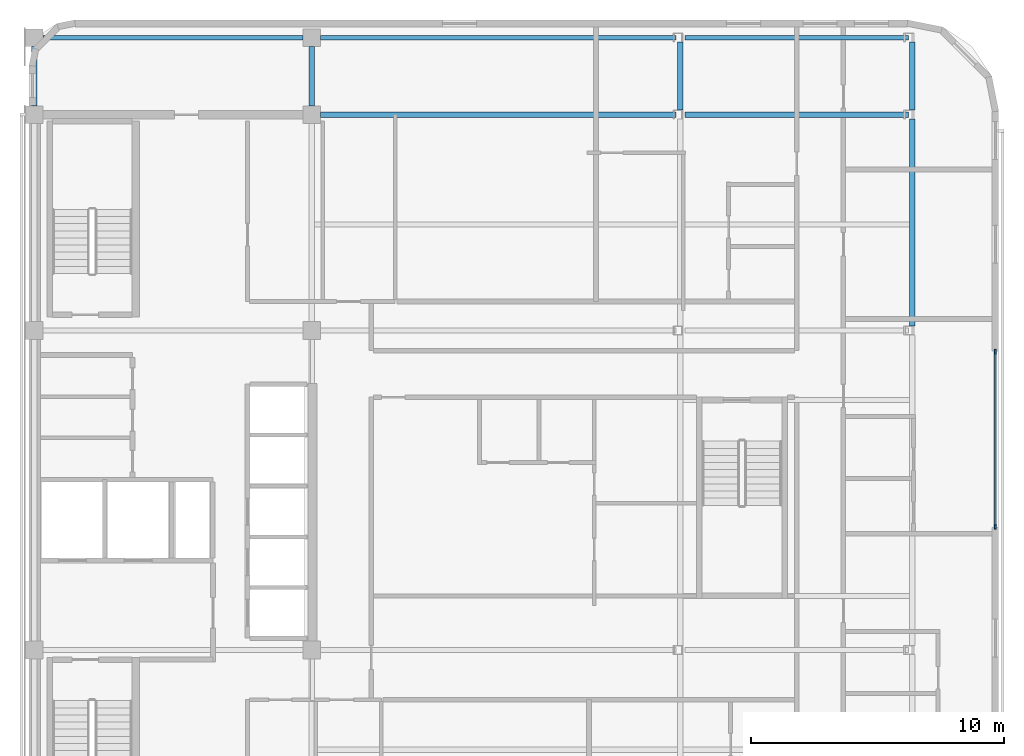
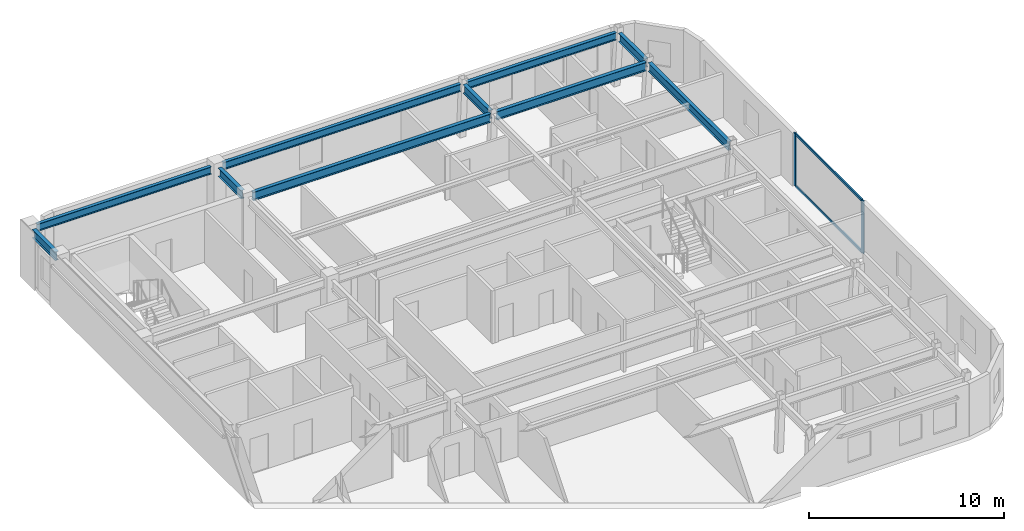
# One storey, part 2 of 11: 10 beams, 4 members, 1 element without a shape of its own.
"""IFC4 building model written with IfcOpenShell, lengths in metres."""

from ifc_helpers import new_model, si_unit, direction, frame, origin, origin_2d, place, context, subcontext, project, spatial, rectangle, i_section, extrude, material, layer, layer_set, material_profile, profile_set, type_object, element, aggregate, save


model = new_model("IFC4")

# Units and contexts
model_context = context("Model", 3, precision=1e-05, world=origin(), true_north=direction((0.0, 1.0)))
body_context = subcontext(model_context, "Body", "Model", "MODEL_VIEW")
ifc_project = project(units=[si_unit("LENGTHUNIT", "METRE"), si_unit("AREAUNIT", "SQUARE_METRE"), si_unit("VOLUMEUNIT", "CUBIC_METRE"), si_unit("PLANEANGLEUNIT", "RADIAN"), si_unit("MASSUNIT", "GRAM", prefix="KILO")], contexts=[model_context])

# Site, building, storey
site_placement = place(None, origin())
site = spatial("IfcSite", under=ifc_project, at=site_placement, CompositionType="ELEMENT")
building_placement = place(site_placement, origin())
building = spatial("IfcBuilding", under=site, at=building_placement, Name="Ochreholt Gables", CompositionType="ELEMENT")
storey_placement = place(building_placement, frame((0.0, 0.0, 278.39990234375)))
storey = spatial("IfcBuildingStorey", under=building, at=storey_placement, Name="L73", CompositionType="ELEMENT", Elevation=278.39990234375)

# Beams
ifc_material_1 = material(Name="Steel CSA G40.21 350W", Category="steel")
ifc_material_profile_1 = material_profile(ifc_material_1, i_section(OverallWidth=0.2109375, OverallDepth=0.5390625, WebThickness=0.01171875, FlangeThickness=0.018798828125, at=origin_2d()), Name="W530X109")
ifc_profile_set_1 = profile_set([ifc_material_profile_1], Name="Steel CSA G40.21 350W")
beam_type_1 = type_object("IfcBeamType", Name="BM-G-W530A", PredefinedType="BEAM", material=ifc_profile_set_1)
beam_1_placement = place(storey_placement, frame((35.549560546875, 38.75, 3.030517578125), z_axis=(1.0, 0.0, 0.0), x_axis=(0.0, 1.0, 0.0)))
element("IfcBeam", 1, at=beam_1_placement, inside=storey, type_object=beam_type_1, Name="L73 Beam TBG-L73-C2EM-Y5", PredefinedType="BEAM", context=body_context, shape_type="SweptSolid", body=[
    extrude(i_section(OverallWidth=0.2109375, OverallDepth=0.5390625, WebThickness=0.01171875, FlangeThickness=0.018798828125, at=origin_2d()), origin(), (0.0, 0.0, 1.0), 14.078857421875),
])
beam_2_placement = place(storey_placement, frame((49.983642578125, 38.75, 3.030517578125), z_axis=(1.0, 0.0, 0.0), x_axis=(0.0, 1.0, 0.0)))
element("IfcBeam", 2, at=beam_2_placement, inside=storey, type_object=beam_type_1, Name="L73 Beam TBG-L73-EMEE-Y5", PredefinedType="BEAM", context=body_context, shape_type="SweptSolid", body=[
    extrude(i_section(OverallWidth=0.2109375, OverallDepth=0.5390625, WebThickness=0.01171875, FlangeThickness=0.018798828125, at=origin_2d()), origin(), (0.0, 0.0, 1.0), 8.8515625),
])
for number, where, z_axis, x_axis, name in (
    (3, (24.199951171875, 39.099609375, 3.030517578125), (0.0, 1.0, 0.0), (-1.0, 0.0, 0.0), "L73 Beam TBN-L73-C1-Y5Y6"),
    (4, (35.199951171875, 39.099609375, 3.030517578125), (0.0, 1.0, 0.0), (-1.0, 0.0, 0.0), "L73 Beam TBN-L73-C2-Y5Y6"),
):
    element("IfcBeam", number, at=place(storey_placement, frame(where, z_axis=z_axis, x_axis=x_axis)), inside=storey, type_object=beam_type_1, Name=name, PredefinedType="BEAM", context=body_context, shape_type="SweptSolid", body=[
        extrude(i_section(OverallWidth=0.2109375, OverallDepth=0.5390625, WebThickness=0.01171875, FlangeThickness=0.018798828125, at=origin_2d()), origin(), (0.0, 0.0, 1.0), 2.350830078125),
    ])
beam_3_placement = place(storey_placement, frame((49.78662109375, 38.927490234375, 3.030517578125), z_axis=(0.0, 1.0, 0.0), x_axis=(-1.0, 0.0, 0.0)))
element("IfcBeam", 5, at=beam_3_placement, inside=storey, type_object=beam_type_1, Name="L73 Beam TBN-L73-EM-Y5Y6", PredefinedType="BEAM", context=body_context, shape_type="SweptSolid", body=[
    extrude(i_section(OverallWidth=0.2109375, OverallDepth=0.5390625, WebThickness=0.01171875, FlangeThickness=0.018798828125, at=origin_2d()), origin(), (0.0, 0.0, 1.0), 2.69482421875),
])
beam_4_placement = place(storey_placement, frame((58.98095703125, 30.377685546875, 3.030517578125), z_axis=(0.0, 1.0, 0.0), x_axis=(-1.0, 0.0, 0.0)))
element("IfcBeam", 6, at=beam_4_placement, inside=storey, type_object=beam_type_1, Name="L73 Beam TBN-L73-EE-Y4Y5", PredefinedType="BEAM", context=body_context, shape_type="SweptSolid", body=[
    extrude(i_section(OverallWidth=0.2109375, OverallDepth=0.5390625, WebThickness=0.01171875, FlangeThickness=0.018798828125, at=origin_2d()), origin(), (0.0, 0.0, 1.0), 8.19482421875),
])
beam_5_placement = place(storey_placement, frame((58.98095703125, 38.927490234375, 3.030517578125), z_axis=(0.0, 1.0, 0.0), x_axis=(-1.0, 0.0, 0.0)))
element("IfcBeam", 7, at=beam_5_placement, inside=storey, type_object=beam_type_1, Name="L73 Beam TBN-L73-EE-Y5Y6", PredefinedType="BEAM", context=body_context, shape_type="SweptSolid", body=[
    extrude(i_section(OverallWidth=0.2109375, OverallDepth=0.5390625, WebThickness=0.01171875, FlangeThickness=0.018798828125, at=origin_2d()), origin(), (0.0, 0.0, 1.0), 2.69482421875),
])
ifc_material_profile_2 = material_profile(ifc_material_1, i_section(OverallWidth=0.19189453125, OverallDepth=0.462890625, WebThickness=0.010498046875, FlangeThickness=0.017578125, at=origin_2d()), Name="W460X89")
ifc_profile_set_2 = profile_set([ifc_material_profile_2], Name="Steel CSA G40.21 350W")
beam_type_2 = type_object("IfcBeamType", Name="BM-SP-W460A", PredefinedType="SPANDREL", material=ifc_profile_set_2)
beam_6_placement = place(storey_placement, frame((24.549560546875, 41.800048828125, 3.068603515625), z_axis=(1.0, 0.0, 0.0), x_axis=(0.0, 1.0, 0.0)))
element("IfcBeam", 8, at=beam_6_placement, inside=storey, type_object=beam_type_2, Name="L73 Beam TBG-L73-C1C2-Y6", PredefinedType="SPANDREL", context=body_context, shape_type="SweptSolid", body=[
    extrude(i_section(OverallWidth=0.19189453125, OverallDepth=0.462890625, WebThickness=0.010498046875, FlangeThickness=0.017578125, at=origin_2d()), origin(), (0.0, 0.0, 1.0), 10.30078125),
])
beam_7_placement = place(storey_placement, frame((35.549560546875, 41.800048828125, 3.068603515625), z_axis=(1.0, 0.0, 0.0), x_axis=(0.0, 1.0, 0.0)))
element("IfcBeam", 9, at=beam_7_placement, inside=storey, type_object=beam_type_2, Name="L73 Beam TBG-L73-C2EM-Y6", PredefinedType="SPANDREL", context=body_context, shape_type="SweptSolid", body=[
    extrude(i_section(OverallWidth=0.19189453125, OverallDepth=0.462890625, WebThickness=0.010498046875, FlangeThickness=0.017578125, at=origin_2d()), origin(), (0.0, 0.0, 1.0), 14.078857421875),
])
beam_8_placement = place(storey_placement, frame((49.983642578125, 41.800048828125, 3.068603515625), z_axis=(1.0, 0.0, 0.0), x_axis=(0.0, 1.0, 0.0)))
element("IfcBeam", 10, at=beam_8_placement, inside=storey, type_object=beam_type_2, Name="L73 Beam TBG-L73-EMEE-Y6", PredefinedType="SPANDREL", context=body_context, shape_type="SweptSolid", body=[
    extrude(i_section(OverallWidth=0.19189453125, OverallDepth=0.462890625, WebThickness=0.010498046875, FlangeThickness=0.017578125, at=origin_2d()), origin(), (0.0, 0.0, 1.0), 8.8515625),
])

# Curtain wall, members
ifc_material_2 = material(Name="Unitised Aluminium and Triple Glazing", Category="aluminium")
ifc_layer = layer(ifc_material_2, 0.2099609375, Name="Unitised Aluminium and Triple Glazing")
ifc_layer_set = layer_set([ifc_layer], Name="Unitised Aluminium and Triple Glazing")
curtain_wall_type = type_object("IfcCurtainWallType", Name="CW-SYS5", PredefinedType="NOTDEFINED", material=ifc_layer_set)
curtain_wall_placement = place(storey_placement, origin())
curtain_wall = element("IfcCurtainWall", 11, at=curtain_wall_placement, inside=storey, type_object=curtain_wall_type, Name="L73 East Unitised Curtain Wall", PredefinedType="NOTDEFINED")
ifc_material_3 = material(Name="Anodized Aluminium 6063-T6", Category="aluminium")
ifc_material_profile_3 = material_profile(ifc_material_3, rectangle(XDim=0.074951171875, YDim=0.199951171875, at=origin_2d()), Name="CWM75X200")
ifc_profile_set_3 = profile_set([ifc_material_profile_3], Name="Anodized Aluminium 6063-T6")
member_type_1 = type_object("IfcMemberType", Name="CW-MUL-A", PredefinedType="MULLION", material=ifc_profile_set_3)
member_1_placement = place(storey_placement, frame((62.264892578125, 22.4375, 0.0), z_axis=(0.0, 0.0, 1.0), x_axis=(-1.0, 0.0, 0.0)))
member_1 = element("IfcMember", 12, at=member_1_placement, type_object=member_type_1, Name="CW-5 mullion 1", PredefinedType="MULLION", context=body_context, shape_type="SweptSolid", body=[
    extrude(rectangle(XDim=0.074951171875, YDim=0.199951171875, at=origin_2d()), origin(), (0.0, 0.0, 1.0), 3.300048828125),
])
member_2_placement = place(storey_placement, frame((62.264892578125, 29.362548828125, 0.0), z_axis=(0.0, 0.0, 1.0), x_axis=(-1.0, 0.0, 0.0)))
member_2 = element("IfcMember", 13, at=member_2_placement, type_object=member_type_1, Name="CW-5 mullion 2", PredefinedType="MULLION", context=body_context, shape_type="SweptSolid", body=[
    extrude(rectangle(XDim=0.074951171875, YDim=0.199951171875, at=origin_2d()), origin(), (0.0, 0.0, 1.0), 3.300048828125),
])
ifc_material_profile_4 = material_profile(ifc_material_3, rectangle(XDim=0.074951171875, YDim=0.159912109375, at=origin_2d()), Name="CWT75X160")
ifc_profile_set_4 = profile_set([ifc_material_profile_4], Name="Anodized Aluminium 6063-T6")
member_type_2 = type_object("IfcMemberType", Name="CW-TRN-A", PredefinedType="USERDEFINED", material=ifc_profile_set_4)
member_3_placement = place(storey_placement, frame((62.264892578125, 22.47509765625, 0.03759765625), z_axis=(0.0, 1.0, 0.0), x_axis=(-1.0, 0.0, 0.0)))
member_3 = element("IfcMember", 14, at=member_3_placement, type_object=member_type_2, Name="CW-5 transom 1.1", ObjectType="TRANSOM", PredefinedType="USERDEFINED", context=body_context, shape_type="SweptSolid", body=[
    extrude(rectangle(XDim=0.074951171875, YDim=0.159912109375, at=origin_2d()), origin(), (0.0, 0.0, 1.0), 6.849853515625),
])
member_4_placement = place(storey_placement, frame((62.264892578125, 22.47509765625, 3.2626953125), z_axis=(0.0, 1.0, 0.0), x_axis=(-1.0, 0.0, 0.0)))
member_4 = element("IfcMember", 15, at=member_4_placement, type_object=member_type_2, Name="CW-5 transom 1.2", ObjectType="TRANSOM", PredefinedType="USERDEFINED", context=body_context, shape_type="SweptSolid", body=[
    extrude(rectangle(XDim=0.074951171875, YDim=0.159912109375, at=origin_2d()), origin(), (0.0, 0.0, 1.0), 6.849853515625),
])
aggregate(curtain_wall, [member_1, member_2, member_3, member_4])

save(model, "model.ifc")
